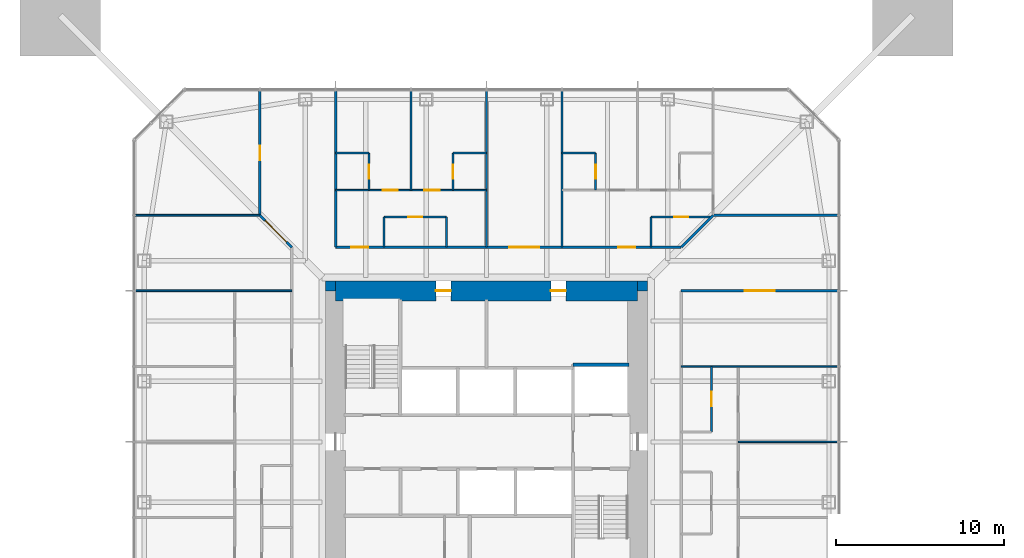
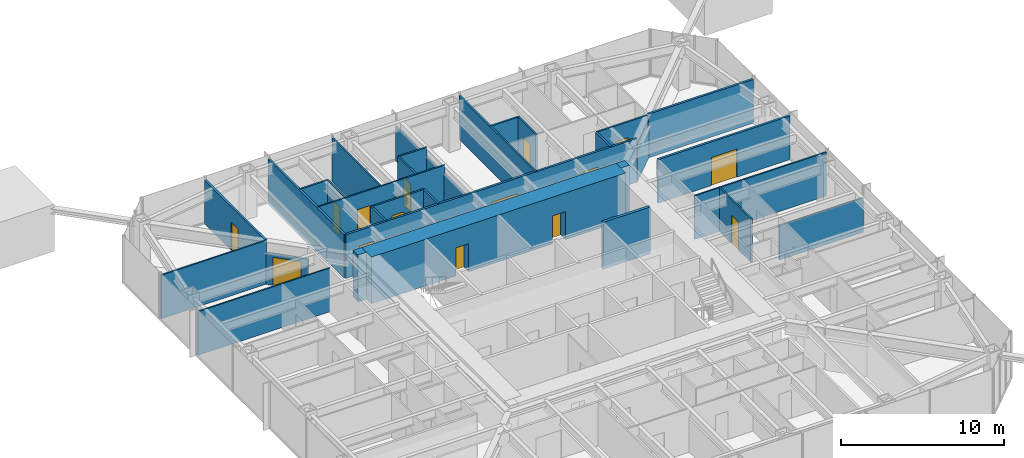
# One storey, part 15 of 25: 31 walls, 16 doors, 16 openings.
"""IFC4 building model written with IfcOpenShell, lengths in metres."""

from ifc_helpers import new_model, si_unit, direction, frame, frame_2d, origin, place, context, subcontext, project, spatial, rectangle, extrude, material, layer, layer_set, type_object, element, fill, save


model = new_model("IFC4")

# Units and contexts
model_context = context("Model", 3, precision=1e-05, world=origin(), true_north=direction((0.0, 1.0)))
body_context = subcontext(model_context, "Body", "Model", "MODEL_VIEW")
ifc_project = project(units=[si_unit("LENGTHUNIT", "METRE"), si_unit("AREAUNIT", "SQUARE_METRE"), si_unit("VOLUMEUNIT", "CUBIC_METRE"), si_unit("PLANEANGLEUNIT", "RADIAN"), si_unit("MASSUNIT", "GRAM", prefix="KILO")], contexts=[model_context])

# Site, building, storey
site_placement = place(None, origin())
site = spatial("IfcSite", under=ifc_project, at=site_placement, CompositionType="ELEMENT")
building_placement = place(site_placement, origin())
building = spatial("IfcBuilding", under=site, at=building_placement, Name="Iwan Alto Co-Living Towers", CompositionType="ELEMENT")
storey_placement = place(building_placement, frame((0.0, 0.0, 108.5)))
storey = spatial("IfcBuildingStorey", under=building, at=storey_placement, Name="L29", CompositionType="ELEMENT", Elevation=108.5)

# Wall, opening, door
ifc_material_1 = material(Name="Gypsum board")
ifc_layer_1 = layer(ifc_material_1, 0.02490234375, Name="Board", Category="Finish")
ifc_material_2 = material(Name="Steel ASTM A1003 ST33H cold-formed studs", Category="steel")
ifc_layer_2 = layer(ifc_material_2, 0.10009765625, Name="Studs", Category="Framing")
ifc_layer_3 = layer(ifc_material_1, 0.02490234375, Name="Board", Category="Finish")
ifc_layer_set_1 = layer_set([ifc_layer_1, ifc_layer_2, ifc_layer_3], Name="CORRIDOR WALL 150")
wall_type_1 = type_object("IfcWallType", Name="CORRIDOR WALL 150", PredefinedType="PARTITIONING", material=ifc_layer_set_1)
wall_1_placement = place(storey_placement, frame((11.60009765625, 9.0, 0.0), z_axis=(0.0, 0.0, 1.0), x_axis=(1.0, 0.0, 0.0)))
wall_1 = element("IfcWall", 1, at=wall_1_placement, inside=storey, type_object=wall_type_1, Name="Partition L29", PredefinedType="PARTITIONING", context=body_context, shape_type="SweptSolid", body=[
    extrude(rectangle(XDim=9.33984375, YDim=0.14990234375, at=frame_2d((4.669921875, 0.0))), origin(), (0.0, 0.0, 1.0), 3.27001953125),
])
opening_1_placement = place(wall_1_placement, frame((3.77001953125, 0.0, 0.0)))
opening_1 = element("IfcOpeningElement", 2, at=opening_1_placement, cuts=wall_1, Name="Opening D9", PredefinedType="OPENING", context=body_context, shape_type="SweptSolid", body=[
    extrude(rectangle(XDim=1.800048828125, YDim=2.10009765625, at=frame_2d((0.89990234375, 1.050048828125))), frame((0.0, 0.0849609375, 0.0), z_axis=(0.0, -1.0, 0.0), x_axis=(1.0, 0.0, 0.0)), (0.0, 0.0, 1.0), 0.169921875),
])
ifc_material_3 = material(Name="Steel frame with timber leaf", Category="steel")
door_type_1 = type_object("IfcDoorType", Name="LOUNGE DOOR FD30S 1800X2100", OperationType="DOUBLE_DOOR_SINGLE_SWING", PredefinedType="DOOR", material=ifc_material_3)
door_1_placement = place(opening_1_placement, frame((1.800048828125, 0.0, 0.0), z_axis=(0.0, 0.0, 1.0), x_axis=(-1.0, 0.0, 0.0)))
door_1 = element("IfcDoor", 3, at=door_1_placement, inside=storey, type_object=door_type_1, Name="Games room door L29", OperationType="DOUBLE_DOOR_SINGLE_SWING", OverallHeight=2.10009765625, OverallWidth=1.800048828125, PredefinedType="DOOR", context=body_context, shape_type="SweptSolid", body=[
    extrude(rectangle(XDim=1.800048828125, YDim=2.10009765625, at=frame_2d((0.89990234375, 1.050048828125))), frame((0.0, 0.02490234375, 0.0), z_axis=(0.0, -1.0, 0.0), x_axis=(1.0, 0.0, 0.0)), (0.0, 0.0, 1.0), 0.050048828125),
])
fill(opening_1, door_1)

# Wall, openings, doors
wall_2_placement = place(storey_placement, frame((-9.0, 11.60009765625, 0.0), z_axis=(0.0, 0.0, 1.0), x_axis=(1.0, 0.0, 0.0)))
wall_2 = element("IfcWall", 4, at=wall_2_placement, inside=storey, type_object=wall_type_1, Name="Partition L29", PredefinedType="PARTITIONING", context=body_context, shape_type="SweptSolid", body=[
    extrude(rectangle(XDim=20.60009765625, YDim=0.14990234375, at=frame_2d((10.300048828125, 0.0))), origin(), (0.0, 0.0, 1.0), 3.27001953125),
])
opening_2_placement = place(wall_2_placement, frame((16.85009765625, 0.0, 0.0)))
opening_2 = element("IfcOpeningElement", 5, at=opening_2_placement, cuts=wall_2, Name="Opening D3", PredefinedType="OPENING", context=body_context, shape_type="SweptSolid", body=[
    extrude(rectangle(XDim=1.0, YDim=2.10009765625, at=frame_2d((0.5, 1.050048828125))), frame((0.0, 0.0849609375, 0.0), z_axis=(0.0, -1.0, 0.0), x_axis=(1.0, 0.0, 0.0)), (0.0, 0.0, 1.0), 0.169921875),
])
opening_3_placement = place(wall_2_placement, frame((10.35009765625, 0.0, 0.0)))
opening_3 = element("IfcOpeningElement", 6, at=opening_3_placement, cuts=wall_2, Name="Opening D9", PredefinedType="OPENING", context=body_context, shape_type="SweptSolid", body=[
    extrude(rectangle(XDim=1.800048828125, YDim=2.10009765625, at=frame_2d((0.89990234375, 1.050048828125))), frame((0.0, 0.0849609375, 0.0), z_axis=(0.0, -1.0, 0.0), x_axis=(1.0, 0.0, 0.0)), (0.0, 0.0, 1.0), 0.169921875),
])
opening_4_placement = place(wall_2_placement, frame((0.949951171875, 0.0, 0.0)))
opening_4 = element("IfcOpeningElement", 7, at=opening_4_placement, cuts=wall_2, Name="Opening D3", PredefinedType="OPENING", context=body_context, shape_type="SweptSolid", body=[
    extrude(rectangle(XDim=1.0, YDim=2.10009765625, at=frame_2d((0.5, 1.050048828125))), frame((0.0, 0.0849609375, 0.0), z_axis=(0.0, -1.0, 0.0), x_axis=(1.0, 0.0, 0.0)), (0.0, 0.0, 1.0), 0.169921875),
])
ifc_material_4 = material(Name="Steel frame with timber leaf", Category="steel")
door_type_2 = type_object("IfcDoorType", Name="FLAT ENTRANCE DOOR FD30S 1000X2100", OperationType="SINGLE_SWING_LEFT", PredefinedType="DOOR", material=ifc_material_4)
door_2_placement = place(opening_2_placement, origin())
door_2 = element("IfcDoor", 8, at=door_2_placement, inside=storey, type_object=door_type_2, Name="Cluster lounge door L29", OperationType="SINGLE_SWING_RIGHT", OverallHeight=2.10009765625, OverallWidth=1.0, PredefinedType="DOOR", context=body_context, shape_type="SweptSolid", body=[
    extrude(rectangle(XDim=1.0, YDim=2.10009765625, at=frame_2d((0.5, 1.050048828125))), frame((0.0, 0.02490234375, 0.0), z_axis=(0.0, -1.0, 0.0), x_axis=(1.0, 0.0, 0.0)), (0.0, 0.0, 1.0), 0.050048828125),
])
fill(opening_2, door_2)
door_3_placement = place(opening_4_placement, origin())
door_3 = element("IfcDoor", 9, at=door_3_placement, inside=storey, type_object=door_type_2, Name="Cluster lounge and shared kitchen door L29", OperationType="SINGLE_SWING_LEFT", OverallHeight=2.10009765625, OverallWidth=1.0, PredefinedType="DOOR", context=body_context, shape_type="SweptSolid", body=[
    extrude(rectangle(XDim=1.0, YDim=2.10009765625, at=frame_2d((0.5, 1.050048828125))), frame((0.0, 0.02490234375, 0.0), z_axis=(0.0, -1.0, 0.0), x_axis=(1.0, 0.0, 0.0)), (0.0, 0.0, 1.0), 0.050048828125),
])
fill(opening_4, door_3)
door_4_placement = place(opening_3_placement, origin())
door_4 = element("IfcDoor", 10, at=door_4_placement, inside=storey, type_object=door_type_1, Name="Reading room door L29", OperationType="DOUBLE_DOOR_SINGLE_SWING", OverallHeight=2.10009765625, OverallWidth=1.800048828125, PredefinedType="DOOR", context=body_context, shape_type="SweptSolid", body=[
    extrude(rectangle(XDim=1.800048828125, YDim=2.10009765625, at=frame_2d((0.89990234375, 1.050048828125))), frame((0.0, 0.02490234375, 0.0), z_axis=(0.0, -1.0, 0.0), x_axis=(1.0, 0.0, 0.0)), (0.0, 0.0, 1.0), 0.050048828125),
])
fill(opening_3, door_4)

# Walls
wall_3_placement = place(storey_placement, frame((13.5, 13.5, 0.0), z_axis=(0.0, 0.0, 1.0), x_axis=(1.0, 0.0, 0.0)))
element("IfcWall", 11, at=wall_3_placement, inside=storey, type_object=wall_type_1, Name="Partition L29", PredefinedType="PARTITIONING", context=body_context, shape_type="SweptSolid", body=[
    extrude(rectangle(XDim=7.43994140625, YDim=0.14990234375, at=frame_2d((3.719970703125, 0.0))), origin(), (0.0, 0.0, 1.0), 3.27001953125),
])
wall_4_placement = place(storey_placement, frame((11.60009765625, 11.60009765625, 0.0), z_axis=(0.0, 0.0, 1.0), x_axis=(0.707106781187, 0.707106781187, 0.0)))
element("IfcWall", 12, at=wall_4_placement, inside=storey, type_object=wall_type_1, Name="Partition L29", PredefinedType="PARTITIONING", context=body_context, shape_type="SweptSolid", body=[
    extrude(rectangle(XDim=2.686767578125, YDim=0.14990234375, at=frame_2d((1.34326171875, 0.0))), origin(), (0.0, 0.0, 1.0), 2.343017578125),
])
wall_5_placement = place(storey_placement, frame((-9.0, 11.60009765625, 0.0), z_axis=(0.0, 0.0, 1.0), x_axis=(0.0, 1.0, 0.0)))
element("IfcWall", 13, at=wall_5_placement, inside=storey, type_object=wall_type_1, Name="Partition L29", PredefinedType="PARTITIONING", context=body_context, shape_type="SweptSolid", body=[
    extrude(rectangle(XDim=9.33984375, YDim=0.14990234375, at=frame_2d((4.669921875, 0.0))), origin(), (0.0, 0.0, 1.0), 3.27001953125),
])

# Wall, opening, door
wall_6_placement = place(storey_placement, frame((-13.5, 13.5, 0.0), z_axis=(0.0, 0.0, 1.0), x_axis=(0.0, 1.0, 0.0)))
wall_6 = element("IfcWall", 14, at=wall_6_placement, inside=storey, type_object=wall_type_1, Name="Partition L29", PredefinedType="PARTITIONING", context=body_context, shape_type="SweptSolid", body=[
    extrude(rectangle(XDim=7.43994140625, YDim=0.14990234375, at=frame_2d((3.719970703125, 0.0))), origin(), (0.0, 0.0, 1.0), 3.27001953125),
])
opening_5_placement = place(wall_6_placement, frame((3.294921875, 0.0, 0.0)))
opening_5 = element("IfcOpeningElement", 15, at=opening_5_placement, cuts=wall_6, Name="Opening D2", PredefinedType="OPENING", context=body_context, shape_type="SweptSolid", body=[
    extrude(rectangle(XDim=0.85009765625, YDim=2.10009765625, at=frame_2d((0.425048828125, 1.050048828125))), frame((0.0, 0.0849609375, 0.0), z_axis=(0.0, -1.0, 0.0), x_axis=(1.0, 0.0, 0.0)), (0.0, 0.0, 1.0), 0.169921875),
])
ifc_material_5 = material(Name="Timber leaf in steel frame", Category="steel")
door_type_3 = type_object("IfcDoorType", Name="ROOM DOOR 850X2100", OperationType="SINGLE_SWING_LEFT", PredefinedType="DOOR", material=ifc_material_5)
door_5_placement = place(opening_5_placement, origin())
door_5 = element("IfcDoor", 16, at=door_5_placement, inside=storey, type_object=door_type_3, Name="Shared kitchen and lounge door L29", OperationType="SINGLE_SWING_LEFT", OverallHeight=2.10009765625, OverallWidth=0.85009765625, PredefinedType="DOOR", context=body_context, shape_type="SweptSolid", body=[
    extrude(rectangle(XDim=0.85009765625, YDim=2.10009765625, at=frame_2d((0.425048828125, 1.050048828125))), frame((0.0, 0.02490234375, 0.0), z_axis=(0.0, -1.0, 0.0), x_axis=(1.0, 0.0, 0.0)), (0.0, 0.0, 1.0), 0.050048828125),
])
fill(opening_5, door_5)

wall_7_placement = place(storey_placement, frame((-11.60009765625, 11.60009765625, 0.0), z_axis=(0.0, 0.0, 1.0), x_axis=(-0.707106781187, 0.707106781187, 0.0)))
wall_7 = element("IfcWall", 17, at=wall_7_placement, inside=storey, type_object=wall_type_1, Name="Partition L29", PredefinedType="PARTITIONING", context=body_context, shape_type="SweptSolid", body=[
    extrude(rectangle(XDim=2.686767578125, YDim=0.14990234375, at=frame_2d((1.34326171875, 0.0))), origin(), (0.0, 0.0, 1.0), 2.343017578125),
])
opening_6_placement = place(wall_7_placement, frame((0.444091796875, 0.0, 0.0)))
opening_6 = element("IfcOpeningElement", 18, at=opening_6_placement, cuts=wall_7, Name="Opening D9", PredefinedType="OPENING", context=body_context, shape_type="SweptSolid", body=[
    extrude(rectangle(XDim=1.800048828125, YDim=2.10009765625, at=frame_2d((0.89990234375, 1.050048828125))), frame((0.0, 0.0849609375, 0.0), z_axis=(0.0, -1.0, 0.0), x_axis=(1.0, 0.0, 0.0)), (0.0, 0.0, 1.0), 0.169921875),
])
door_6_placement = place(opening_6_placement, origin())
door_6 = element("IfcDoor", 19, at=door_6_placement, inside=storey, type_object=door_type_1, Name="Music practice room door L29", OperationType="DOUBLE_DOOR_SINGLE_SWING", OverallHeight=2.10009765625, OverallWidth=1.800048828125, PredefinedType="DOOR", context=body_context, shape_type="SweptSolid", body=[
    extrude(rectangle(XDim=1.800048828125, YDim=2.10009765625, at=frame_2d((0.89990234375, 1.050048828125))), frame((0.0, 0.02490234375, 0.0), z_axis=(0.0, -1.0, 0.0), x_axis=(1.0, 0.0, 0.0)), (0.0, 0.0, 1.0), 0.050048828125),
])
fill(opening_6, door_6)

# Walls
ifc_layer_4 = layer(ifc_material_1, 0.012451171875, Name="Board", Category="Finish")
ifc_layer_5 = layer(ifc_material_2, 0.074951171875, Name="Studs", Category="Framing")
ifc_layer_6 = layer(ifc_material_1, 0.012451171875, Name="Board", Category="Finish")
ifc_layer_set_2 = layer_set([ifc_layer_4, ifc_layer_5, ifc_layer_6], Name="PARTITION 100")
wall_type_2 = type_object("IfcWallType", Name="PARTITION 100", PredefinedType="PARTITIONING", material=ifc_layer_set_2)
wall_8_placement = place(storey_placement, frame((15.0, 0.0, 0.0), z_axis=(0.0, 0.0, 1.0), x_axis=(1.0, 0.0, 0.0)))
element("IfcWall", 20, at=wall_8_placement, inside=storey, type_object=wall_type_2, Name="Partition L29", PredefinedType="PARTITIONING", context=body_context, shape_type="SweptSolid", body=[
    extrude(rectangle(XDim=5.93994140625, YDim=0.10009765625, at=frame_2d((2.969970703125, 0.0))), origin(), (0.0, 0.0, 1.0), 2.586669921875),
])
for number, where, z_axis, x_axis, name in (
    (21, (11.60009765625, 4.5, 0.0), (0.0, 0.0, 1.0), (1.0, 0.0, 0.0), "Partition L29"),
    (22, (-20.93994140625, 9.0, 0.0), (0.0, 0.0, 1.0), (1.0, 0.0, 0.0), "Partition L29"),
):
    element("IfcWall", number, at=place(storey_placement, frame(where, z_axis=z_axis, x_axis=x_axis)), inside=storey, type_object=wall_type_2, Name=name, PredefinedType="PARTITIONING", context=body_context, shape_type="SweptSolid", body=[
        extrude(rectangle(XDim=9.33984375, YDim=0.10009765625, at=frame_2d((4.669921875, 0.0))), origin(), (0.0, 0.0, 1.0), 3.27001953125),
    ])
wall_9_placement = place(storey_placement, frame((-20.93994140625, 13.5, 0.0), z_axis=(0.0, 0.0, 1.0), x_axis=(1.0, 0.0, 0.0)))
element("IfcWall", 23, at=wall_9_placement, inside=storey, type_object=wall_type_2, Name="Partition L29", PredefinedType="PARTITIONING", context=body_context, shape_type="SweptSolid", body=[
    extrude(rectangle(XDim=7.43994140625, YDim=0.10009765625, at=frame_2d((3.719970703125, 0.0))), origin(), (0.0, 0.0, 1.0), 3.27001953125),
])

# Wall, openings, doors
wall_10_placement = place(storey_placement, frame((-9.0, 15.0, 0.0), z_axis=(0.0, 0.0, 1.0), x_axis=(1.0, 0.0, 0.0)))
wall_10 = element("IfcWall", 24, at=wall_10_placement, inside=storey, type_object=wall_type_2, Name="Partition L29", PredefinedType="PARTITIONING", context=body_context, shape_type="SweptSolid", body=[
    extrude(rectangle(XDim=9.0, YDim=0.10009765625, at=frame_2d((4.5, 0.0))), origin(), (0.0, 0.0, 1.0), 3.27001953125),
])
opening_7_placement = place(wall_10_placement, frame((5.300048828125, 0.0, 0.0)))
opening_7 = element("IfcOpeningElement", 25, at=opening_7_placement, cuts=wall_10, Name="Opening D1", PredefinedType="OPENING", context=body_context, shape_type="SweptSolid", body=[
    extrude(rectangle(XDim=0.89990234375, YDim=2.10009765625, at=frame_2d((0.449951171875, 1.050048828125))), frame((0.0, 0.06005859375, 0.0), z_axis=(0.0, -1.0, 0.0), x_axis=(1.0, 0.0, 0.0)), (0.0, 0.0, 1.0), 0.1201171875),
])
opening_8_placement = place(wall_10_placement, frame((2.800048828125, 0.0, 0.0)))
opening_8 = element("IfcOpeningElement", 26, at=opening_8_placement, cuts=wall_10, Name="Opening D1", PredefinedType="OPENING", context=body_context, shape_type="SweptSolid", body=[
    extrude(rectangle(XDim=0.89990234375, YDim=2.10009765625, at=frame_2d((0.449951171875, 1.050048828125))), frame((0.0, 0.06005859375, 0.0), z_axis=(0.0, -1.0, 0.0), x_axis=(1.0, 0.0, 0.0)), (0.0, 0.0, 1.0), 0.1201171875),
])
ifc_material_6 = material(Name="Timber leaf in steel frame", Category="steel")
door_type_4 = type_object("IfcDoorType", Name="BEDROOM DOOR 900X2100", OperationType="SINGLE_SWING_LEFT", PredefinedType="DOOR", material=ifc_material_6)
door_7_placement = place(opening_7_placement, frame((0.89990234375, 0.0, 0.0), z_axis=(0.0, 0.0, 1.0), x_axis=(-1.0, 0.0, 0.0)))
door_7 = element("IfcDoor", 27, at=door_7_placement, inside=storey, type_object=door_type_4, Name="Study bedroom door L29", OperationType="SINGLE_SWING_LEFT", OverallHeight=2.10009765625, OverallWidth=0.89990234375, PredefinedType="DOOR", context=body_context, shape_type="SweptSolid", body=[
    extrude(rectangle(XDim=0.89990234375, YDim=2.10009765625, at=frame_2d((0.449951171875, 1.050048828125))), frame((0.0, 0.02490234375, 0.0), z_axis=(0.0, -1.0, 0.0), x_axis=(1.0, 0.0, 0.0)), (0.0, 0.0, 1.0), 0.050048828125),
])
fill(opening_7, door_7)
door_8_placement = place(opening_8_placement, frame((0.89990234375, 0.0, 0.0), z_axis=(0.0, 0.0, 1.0), x_axis=(-1.0, 0.0, 0.0)))
door_8 = element("IfcDoor", 28, at=door_8_placement, inside=storey, type_object=door_type_4, Name="Study bedroom door L29", OperationType="SINGLE_SWING_RIGHT", OverallHeight=2.10009765625, OverallWidth=0.89990234375, PredefinedType="DOOR", context=body_context, shape_type="SweptSolid", body=[
    extrude(rectangle(XDim=0.89990234375, YDim=2.10009765625, at=frame_2d((0.449951171875, 1.050048828125))), frame((0.0, 0.02490234375, 0.0), z_axis=(0.0, -1.0, 0.0), x_axis=(1.0, 0.0, 0.0)), (0.0, 0.0, 1.0), 0.050048828125),
])
fill(opening_8, door_8)

# Walls
wall_11_placement = place(storey_placement, frame((-4.5, 15.0, 0.0), z_axis=(0.0, 0.0, 1.0), x_axis=(0.0, 1.0, 0.0)))
element("IfcWall", 29, at=wall_11_placement, inside=storey, type_object=wall_type_2, Name="Partition L29", PredefinedType="PARTITIONING", context=body_context, shape_type="SweptSolid", body=[
    extrude(rectangle(XDim=5.93994140625, YDim=0.10009765625, at=frame_2d((2.969970703125, 0.0))), origin(), (0.0, 0.0, 1.0), 3.27001953125),
])
ifc_material_7 = material(Name="Concrete f'c 70 MPa", Category="concrete")
ifc_layer_7 = layer(ifc_material_7, 0.199951171875)
ifc_layer_set_3 = layer_set([ifc_layer_7], Name="SHAFT WALL 200")
wall_type_3 = type_object("IfcWallType", Name="SHAFT WALL 200", PredefinedType="SOLIDWALL", material=ifc_layer_set_3)
wall_12_placement = place(storey_placement, frame((5.14990234375, 4.60009765625, 0.0), z_axis=(0.0, 0.0, 1.0), x_axis=(1.0, 0.0, 0.0)))
element("IfcWall", 30, at=wall_12_placement, inside=storey, type_object=wall_type_3, Name="Shaft wall L29", PredefinedType="SOLIDWALL", context=body_context, shape_type="SweptSolid", body=[
    extrude(rectangle(XDim=3.340087890625, YDim=0.199951171875, at=frame_2d((1.669921875, 0.0))), origin(), (0.0, 0.0, 1.0), 3.5),
])
ifc_material_8 = material(Name="Concrete f'c 70 MPa", Category="concrete")
ifc_layer_8 = layer(ifc_material_8, 0.60009765625)
ifc_layer_set_4 = layer_set([ifc_layer_8], Name="T1 CORE CORNER FILL 600")
wall_type_4 = type_object("IfcWallType", Name="T1 CORE CORNER FILL 600", PredefinedType="SOLIDWALL", material=ifc_layer_set_4)
for number, where, z_axis, x_axis, name in (
    (31, (9.0, 9.300048828125, 0.0), (0.0, 0.0, 1.0), (1.0, 0.0, 0.0), "T1 core corner NE L29"),
    (32, (-9.60009765625, 9.300048828125, 0.0), (0.0, 0.0, 1.0), (1.0, 0.0, 0.0), "T1 core corner NW L29"),
):
    element("IfcWall", number, at=place(storey_placement, frame(where, z_axis=z_axis, x_axis=x_axis)), inside=storey, type_object=wall_type_4, Name=name, PredefinedType="SOLIDWALL", context=body_context, shape_type="SweptSolid", body=[
        extrude(rectangle(XDim=0.60009765625, YDim=0.60009765625, at=frame_2d((0.300048828125, 0.0))), origin(), (0.0, 0.0, 1.0), 3.5),
    ])

# Wall, openings, doors
ifc_material_9 = material(Name="Concrete f'c 70 MPa", Category="concrete")
ifc_layer_9 = layer(ifc_material_9, 1.199951171875)
ifc_layer_set_5 = layer_set([ifc_layer_9], Name="T1 CORE WALL 1200")
wall_type_5 = type_object("IfcWallType", Name="T1 CORE WALL 1200", PredefinedType="SHEAR", material=ifc_layer_set_5)
wall_13_placement = place(storey_placement, frame((9.0, 9.0, 0.0), z_axis=(0.0, 0.0, 1.0), x_axis=(-1.0, 0.0, 0.0)))
wall_13 = element("IfcWall", 33, at=wall_13_placement, inside=storey, type_object=wall_type_5, Name="T1 core wall N L29", PredefinedType="SHEAR", context=body_context, shape_type="SweptSolid", body=[
    extrude(rectangle(XDim=18.0, YDim=1.199951171875, at=frame_2d((9.0, 0.0))), origin(), (0.0, 0.0, 1.0), 3.5),
])
opening_9_placement = place(wall_13_placement, frame((11.125, 0.0, 0.0)))
opening_9 = element("IfcOpeningElement", 34, at=opening_9_placement, cuts=wall_13, Name="Opening D8", PredefinedType="OPENING", context=body_context, shape_type="SweptSolid", body=[
    extrude(rectangle(XDim=0.89990234375, YDim=2.10009765625, at=frame_2d((0.449951171875, 1.050048828125))), frame((0.0, 0.60986328125, 0.0), z_axis=(0.0, -1.0, 0.0), x_axis=(1.0, 0.0, 0.0)), (0.0, 0.0, 1.0), 1.219970703125),
])
opening_10_placement = place(wall_13_placement, frame((4.27490234375, 0.0, 0.0)))
opening_10 = element("IfcOpeningElement", 35, at=opening_10_placement, cuts=wall_13, Name="Opening D8", PredefinedType="OPENING", context=body_context, shape_type="SweptSolid", body=[
    extrude(rectangle(XDim=0.89990234375, YDim=2.10009765625, at=frame_2d((0.449951171875, 1.050048828125))), frame((0.0, 0.60986328125, 0.0), z_axis=(0.0, -1.0, 0.0), x_axis=(1.0, 0.0, 0.0)), (0.0, 0.0, 1.0), 1.219970703125),
])
ifc_material_10 = material(Name="Steel frame with timber leaf", Category="steel")
door_type_5 = type_object("IfcDoorType", Name="RISER DOOR FD120 900X2100", OperationType="SINGLE_SWING_LEFT", PredefinedType="DOOR", material=ifc_material_10)
door_9_placement = place(opening_9_placement, origin())
door_9 = element("IfcDoor", 36, at=door_9_placement, inside=storey, type_object=door_type_5, Name="Electrical riser core door L29", OperationType="SINGLE_SWING_RIGHT", OverallHeight=2.10009765625, OverallWidth=0.89990234375, PredefinedType="DOOR", context=body_context, shape_type="SweptSolid", body=[
    extrude(rectangle(XDim=0.89990234375, YDim=2.10009765625, at=frame_2d((0.449951171875, 1.050048828125))), frame((0.0, 0.02490234375, 0.0), z_axis=(0.0, -1.0, 0.0), x_axis=(1.0, 0.0, 0.0)), (0.0, 0.0, 1.0), 0.050048828125),
])
fill(opening_9, door_9)
door_10_placement = place(opening_10_placement, origin())
door_10 = element("IfcDoor", 37, at=door_10_placement, inside=storey, type_object=door_type_5, Name="Water and drainage riser core door L29", OperationType="SINGLE_SWING_RIGHT", OverallHeight=2.10009765625, OverallWidth=0.89990234375, PredefinedType="DOOR", context=body_context, shape_type="SweptSolid", body=[
    extrude(rectangle(XDim=0.89990234375, YDim=2.10009765625, at=frame_2d((0.449951171875, 1.050048828125))), frame((0.0, 0.02490234375, 0.0), z_axis=(0.0, -1.0, 0.0), x_axis=(1.0, 0.0, 0.0)), (0.0, 0.0, 1.0), 0.050048828125),
])
fill(opening_10, door_10)

# Wall, opening, door
ifc_material_11 = material(Name="Cement board")
ifc_layer_10 = layer(ifc_material_11, 0.012451171875, Name="Board", Category="Finish")
ifc_layer_11 = layer(ifc_material_2, 0.094970703125, Name="Studs", Category="Framing")
ifc_layer_12 = layer(ifc_material_11, 0.012451171875, Name="Board", Category="Finish")
ifc_layer_set_6 = layer_set([ifc_layer_10, ifc_layer_11, ifc_layer_12], Name="WET AREA PARTITION 120")
wall_type_6 = type_object("IfcWallType", Name="WET AREA PARTITION 120", PredefinedType="PARTITIONING", material=ifc_layer_set_6)
wall_14_placement = place(storey_placement, frame((-6.10009765625, 13.39990234375, 0.0), z_axis=(0.0, 0.0, 1.0), x_axis=(1.0, 0.0, 0.0)))
wall_14 = element("IfcWall", 38, at=wall_14_placement, inside=storey, type_object=wall_type_6, Name="Partition L29", PredefinedType="PARTITIONING", context=body_context, shape_type="SweptSolid", body=[
    extrude(rectangle(XDim=3.7001953125, YDim=0.1201171875, at=frame_2d((1.85009765625, 0.0))), origin(), (0.0, 0.0, 1.0), 3.27001953125),
])
opening_11_placement = place(wall_14_placement, frame((1.425048828125, 0.0, 0.0)))
opening_11 = element("IfcOpeningElement", 39, at=opening_11_placement, cuts=wall_14, Name="Opening D2", PredefinedType="OPENING", context=body_context, shape_type="SweptSolid", body=[
    extrude(rectangle(XDim=0.85009765625, YDim=2.10009765625, at=frame_2d((0.425048828125, 1.050048828125))), frame((0.0, 0.070068359375, 0.0), z_axis=(0.0, -1.0, 0.0), x_axis=(1.0, 0.0, 0.0)), (0.0, 0.0, 1.0), 0.14013671875),
])
door_11_placement = place(opening_11_placement, origin())
door_11 = element("IfcDoor", 40, at=door_11_placement, inside=storey, type_object=door_type_3, Name="Accessible bathroom door L29", OperationType="SINGLE_SWING_RIGHT", OverallHeight=2.10009765625, OverallWidth=0.85009765625, PredefinedType="DOOR", context=body_context, shape_type="SweptSolid", body=[
    extrude(rectangle(XDim=0.85009765625, YDim=2.10009765625, at=frame_2d((0.425048828125, 1.050048828125))), frame((0.0, 0.02490234375, 0.0), z_axis=(0.0, -1.0, 0.0), x_axis=(1.0, 0.0, 0.0)), (0.0, 0.0, 1.0), 0.050048828125),
])
fill(opening_11, door_11)

wall_15_placement = place(storey_placement, frame((9.800048828125, 13.39990234375, 0.0), z_axis=(0.0, 0.0, 1.0), x_axis=(1.0, 0.0, 0.0)))
wall_15 = element("IfcWall", 41, at=wall_15_placement, inside=storey, type_object=wall_type_6, Name="Partition L29", PredefinedType="PARTITIONING", context=body_context, shape_type="SweptSolid", body=[
    extrude(rectangle(XDim=3.599853515625, YDim=0.1201171875, at=frame_2d((1.7998046875, 0.0))), origin(), (0.0, 0.0, 1.0), 3.27001953125),
])
opening_12_placement = place(wall_15_placement, frame((1.375, 0.0, 0.0)))
opening_12 = element("IfcOpeningElement", 42, at=opening_12_placement, cuts=wall_15, Name="Opening D2", PredefinedType="OPENING", context=body_context, shape_type="SweptSolid", body=[
    extrude(rectangle(XDim=0.85009765625, YDim=2.10009765625, at=frame_2d((0.425048828125, 1.050048828125))), frame((0.0, 0.070068359375, 0.0), z_axis=(0.0, -1.0, 0.0), x_axis=(1.0, 0.0, 0.0)), (0.0, 0.0, 1.0), 0.14013671875),
])
door_12_placement = place(opening_12_placement, origin())
door_12 = element("IfcDoor", 43, at=door_12_placement, inside=storey, type_object=door_type_3, Name="Bathroom door L29", OperationType="SINGLE_SWING_RIGHT", OverallHeight=2.10009765625, OverallWidth=0.85009765625, PredefinedType="DOOR", context=body_context, shape_type="SweptSolid", body=[
    extrude(rectangle(XDim=0.85009765625, YDim=2.10009765625, at=frame_2d((0.425048828125, 1.050048828125))), frame((0.0, 0.02490234375, 0.0), z_axis=(0.0, -1.0, 0.0), x_axis=(1.0, 0.0, 0.0)), (0.0, 0.0, 1.0), 0.050048828125),
])
fill(opening_12, door_12)

# Walls
for number, where, z_axis, x_axis, name in (
    (44, (-9.0, 17.199951171875, 0.0), (0.0, 0.0, 1.0), (1.0, 0.0, 0.0), "Partition L29"),
    (45, (-2.0, 17.199951171875, 0.0), (0.0, 0.0, 1.0), (1.0, 0.0, 0.0), "Partition L29"),
    (46, (4.5, 17.199951171875, 0.0), (0.0, 0.0, 1.0), (1.0, 0.0, 0.0), "Partition L29"),
):
    element("IfcWall", number, at=place(storey_placement, frame(where, z_axis=z_axis, x_axis=x_axis)), inside=storey, type_object=wall_type_6, Name=name, PredefinedType="PARTITIONING", context=body_context, shape_type="SweptSolid", body=[
        extrude(rectangle(XDim=2.0, YDim=0.1201171875, at=frame_2d((1.0, 0.0))), origin(), (0.0, 0.0, 1.0), 3.27001953125),
    ])

# Wall, opening, door
wall_16_placement = place(storey_placement, frame((13.39990234375, 0.60009765625, 0.0), z_axis=(0.0, 0.0, 1.0), x_axis=(0.0, 1.0, 0.0)))
wall_16 = element("IfcWall", 47, at=wall_16_placement, inside=storey, type_object=wall_type_6, Name="Partition L29", PredefinedType="PARTITIONING", context=body_context, shape_type="SweptSolid", body=[
    extrude(rectangle(XDim=3.89990234375, YDim=0.1201171875, at=frame_2d((1.949951171875, 0.0))), origin(), (0.0, 0.0, 1.0), 3.27001953125),
])
opening_13_placement = place(wall_16_placement, frame((1.52490234375, 0.0, 0.0)))
opening_13 = element("IfcOpeningElement", 48, at=opening_13_placement, cuts=wall_16, Name="Opening D2", PredefinedType="OPENING", context=body_context, shape_type="SweptSolid", body=[
    extrude(rectangle(XDim=0.85009765625, YDim=2.10009765625, at=frame_2d((0.425048828125, 1.050048828125))), frame((0.0, 0.070068359375, 0.0), z_axis=(0.0, -1.0, 0.0), x_axis=(1.0, 0.0, 0.0)), (0.0, 0.0, 1.0), 0.14013671875),
])
door_13_placement = place(opening_13_placement, frame((0.85009765625, 0.0, 0.0), z_axis=(0.0, 0.0, 1.0), x_axis=(-1.0, 0.0, 0.0)))
door_13 = element("IfcDoor", 49, at=door_13_placement, inside=storey, type_object=door_type_3, Name="Laundry door L29", OperationType="SINGLE_SWING_LEFT", OverallHeight=2.10009765625, OverallWidth=0.85009765625, PredefinedType="DOOR", context=body_context, shape_type="SweptSolid", body=[
    extrude(rectangle(XDim=0.85009765625, YDim=2.10009765625, at=frame_2d((0.425048828125, 1.050048828125))), frame((0.0, 0.02490234375, 0.0), z_axis=(0.0, -1.0, 0.0), x_axis=(1.0, 0.0, 0.0)), (0.0, 0.0, 1.0), 0.050048828125),
])
fill(opening_13, door_13)

# Wall
wall_17_placement = place(storey_placement, frame((9.800048828125, 11.60009765625, 0.0), z_axis=(0.0, 0.0, 1.0), x_axis=(0.0, 1.0, 0.0)))
element("IfcWall", 50, at=wall_17_placement, inside=storey, type_object=wall_type_6, Name="Partition L29", PredefinedType="PARTITIONING", context=body_context, shape_type="SweptSolid", body=[
    extrude(rectangle(XDim=1.7998046875, YDim=0.1201171875, at=frame_2d((0.89990234375, 0.0))), origin(), (0.0, 0.0, 1.0), 3.27001953125),
])

# Wall, opening, door
wall_18_placement = place(storey_placement, frame((6.5, 15.0, 0.0), z_axis=(0.0, 0.0, 1.0), x_axis=(0.0, 1.0, 0.0)))
wall_18 = element("IfcWall", 51, at=wall_18_placement, inside=storey, type_object=wall_type_6, Name="Partition L29", PredefinedType="PARTITIONING", context=body_context, shape_type="SweptSolid", body=[
    extrude(rectangle(XDim=2.199951171875, YDim=0.1201171875, at=frame_2d((1.10009765625, 0.0))), origin(), (0.0, 0.0, 1.0), 3.27001953125),
])
opening_14_placement = place(wall_18_placement, frame((0.675048828125, 0.0, 0.0)))
opening_14 = element("IfcOpeningElement", 52, at=opening_14_placement, cuts=wall_18, Name="Opening D2", PredefinedType="OPENING", context=body_context, shape_type="SweptSolid", body=[
    extrude(rectangle(XDim=0.85009765625, YDim=2.10009765625, at=frame_2d((0.425048828125, 1.050048828125))), frame((0.0, 0.070068359375, 0.0), z_axis=(0.0, -1.0, 0.0), x_axis=(1.0, 0.0, 0.0)), (0.0, 0.0, 1.0), 0.14013671875),
])
door_14_placement = place(opening_14_placement, frame((0.85009765625, 0.0, 0.0), z_axis=(0.0, 0.0, 1.0), x_axis=(-1.0, 0.0, 0.0)))
door_14 = element("IfcDoor", 53, at=door_14_placement, inside=storey, type_object=door_type_3, Name="En-suite shower room door L29", OperationType="SINGLE_SWING_RIGHT", OverallHeight=2.10009765625, OverallWidth=0.85009765625, PredefinedType="DOOR", context=body_context, shape_type="SweptSolid", body=[
    extrude(rectangle(XDim=0.85009765625, YDim=2.10009765625, at=frame_2d((0.425048828125, 1.050048828125))), frame((0.0, 0.02490234375, 0.0), z_axis=(0.0, -1.0, 0.0), x_axis=(1.0, 0.0, 0.0)), (0.0, 0.0, 1.0), 0.050048828125),
])
fill(opening_14, door_14)

# Walls
wall_19_placement = place(storey_placement, frame((4.5, 11.60009765625, 0.0), z_axis=(0.0, 0.0, 1.0), x_axis=(0.0, 1.0, 0.0)))
element("IfcWall", 54, at=wall_19_placement, inside=storey, type_object=wall_type_6, Name="Partition L29", PredefinedType="PARTITIONING", context=body_context, shape_type="SweptSolid", body=[
    extrude(rectangle(XDim=9.33984375, YDim=0.1201171875, at=frame_2d((4.669921875, 0.0))), origin(), (0.0, 0.0, 1.0), 3.27001953125),
])
wall_20_placement = place(storey_placement, frame((0.0, 11.60009765625, 0.0), z_axis=(0.0, 0.0, 1.0), x_axis=(0.0, 1.0, 0.0)))
element("IfcWall", 55, at=wall_20_placement, inside=storey, type_object=wall_type_6, Name="Partition L29", PredefinedType="PARTITIONING", context=body_context, shape_type="SweptSolid", body=[
    extrude(rectangle(XDim=9.33984375, YDim=0.1201171875, at=frame_2d((4.669921875, 0.0))), origin(), (0.0, 0.0, 1.0), 2.586669921875),
])

# Wall, opening, door
wall_21_placement = place(storey_placement, frame((-2.0, 15.0, 0.0), z_axis=(0.0, 0.0, 1.0), x_axis=(0.0, 1.0, 0.0)))
wall_21 = element("IfcWall", 56, at=wall_21_placement, inside=storey, type_object=wall_type_6, Name="Partition L29", PredefinedType="PARTITIONING", context=body_context, shape_type="SweptSolid", body=[
    extrude(rectangle(XDim=2.199951171875, YDim=0.1201171875, at=frame_2d((1.10009765625, 0.0))), origin(), (0.0, 0.0, 1.0), 3.27001953125),
])
opening_15_placement = place(wall_21_placement, frame((0.675048828125, 0.0, 0.0)))
opening_15 = element("IfcOpeningElement", 57, at=opening_15_placement, cuts=wall_21, Name="Opening D2", PredefinedType="OPENING", context=body_context, shape_type="SweptSolid", body=[
    extrude(rectangle(XDim=0.85009765625, YDim=2.10009765625, at=frame_2d((0.425048828125, 1.050048828125))), frame((0.0, 0.070068359375, 0.0), z_axis=(0.0, -1.0, 0.0), x_axis=(1.0, 0.0, 0.0)), (0.0, 0.0, 1.0), 0.14013671875),
])
door_15_placement = place(opening_15_placement, origin())
door_15 = element("IfcDoor", 58, at=door_15_placement, inside=storey, type_object=door_type_3, Name="En-suite shower room door L29", OperationType="SINGLE_SWING_LEFT", OverallHeight=2.10009765625, OverallWidth=0.85009765625, PredefinedType="DOOR", context=body_context, shape_type="SweptSolid", body=[
    extrude(rectangle(XDim=0.85009765625, YDim=2.10009765625, at=frame_2d((0.425048828125, 1.050048828125))), frame((0.0, 0.02490234375, 0.0), z_axis=(0.0, -1.0, 0.0), x_axis=(1.0, 0.0, 0.0)), (0.0, 0.0, 1.0), 0.050048828125),
])
fill(opening_15, door_15)

# Walls
for number, where, z_axis, x_axis, name in (
    (59, (-2.39990234375, 11.60009765625, 0.0), (0.0, 0.0, 1.0), (0.0, 1.0, 0.0), "Partition L29"),
    (60, (-6.10009765625, 11.60009765625, 0.0), (0.0, 0.0, 1.0), (0.0, 1.0, 0.0), "Partition L29"),
):
    element("IfcWall", number, at=place(storey_placement, frame(where, z_axis=z_axis, x_axis=x_axis)), inside=storey, type_object=wall_type_6, Name=name, PredefinedType="PARTITIONING", context=body_context, shape_type="SweptSolid", body=[
        extrude(rectangle(XDim=1.7998046875, YDim=0.1201171875, at=frame_2d((0.89990234375, 0.0))), origin(), (0.0, 0.0, 1.0), 3.27001953125),
    ])

# Wall, opening, door
wall_22_placement = place(storey_placement, frame((-7.0, 15.0, 0.0), z_axis=(0.0, 0.0, 1.0), x_axis=(0.0, 1.0, 0.0)))
wall_22 = element("IfcWall", 61, at=wall_22_placement, inside=storey, type_object=wall_type_6, Name="Partition L29", PredefinedType="PARTITIONING", context=body_context, shape_type="SweptSolid", body=[
    extrude(rectangle(XDim=2.199951171875, YDim=0.1201171875, at=frame_2d((1.10009765625, 0.0))), origin(), (0.0, 0.0, 1.0), 3.27001953125),
])
opening_16_placement = place(wall_22_placement, frame((0.675048828125, 0.0, 0.0)))
opening_16 = element("IfcOpeningElement", 62, at=opening_16_placement, cuts=wall_22, Name="Opening D2", PredefinedType="OPENING", context=body_context, shape_type="SweptSolid", body=[
    extrude(rectangle(XDim=0.85009765625, YDim=2.10009765625, at=frame_2d((0.425048828125, 1.050048828125))), frame((0.0, 0.070068359375, 0.0), z_axis=(0.0, -1.0, 0.0), x_axis=(1.0, 0.0, 0.0)), (0.0, 0.0, 1.0), 0.14013671875),
])
door_16_placement = place(opening_16_placement, frame((0.85009765625, 0.0, 0.0), z_axis=(0.0, 0.0, 1.0), x_axis=(-1.0, 0.0, 0.0)))
door_16 = element("IfcDoor", 63, at=door_16_placement, inside=storey, type_object=door_type_3, Name="En-suite shower room door L29", OperationType="SINGLE_SWING_RIGHT", OverallHeight=2.10009765625, OverallWidth=0.85009765625, PredefinedType="DOOR", context=body_context, shape_type="SweptSolid", body=[
    extrude(rectangle(XDim=0.85009765625, YDim=2.10009765625, at=frame_2d((0.425048828125, 1.050048828125))), frame((0.0, 0.02490234375, 0.0), z_axis=(0.0, -1.0, 0.0), x_axis=(1.0, 0.0, 0.0)), (0.0, 0.0, 1.0), 0.050048828125),
])
fill(opening_16, door_16)

save(model, "model.ifc")
